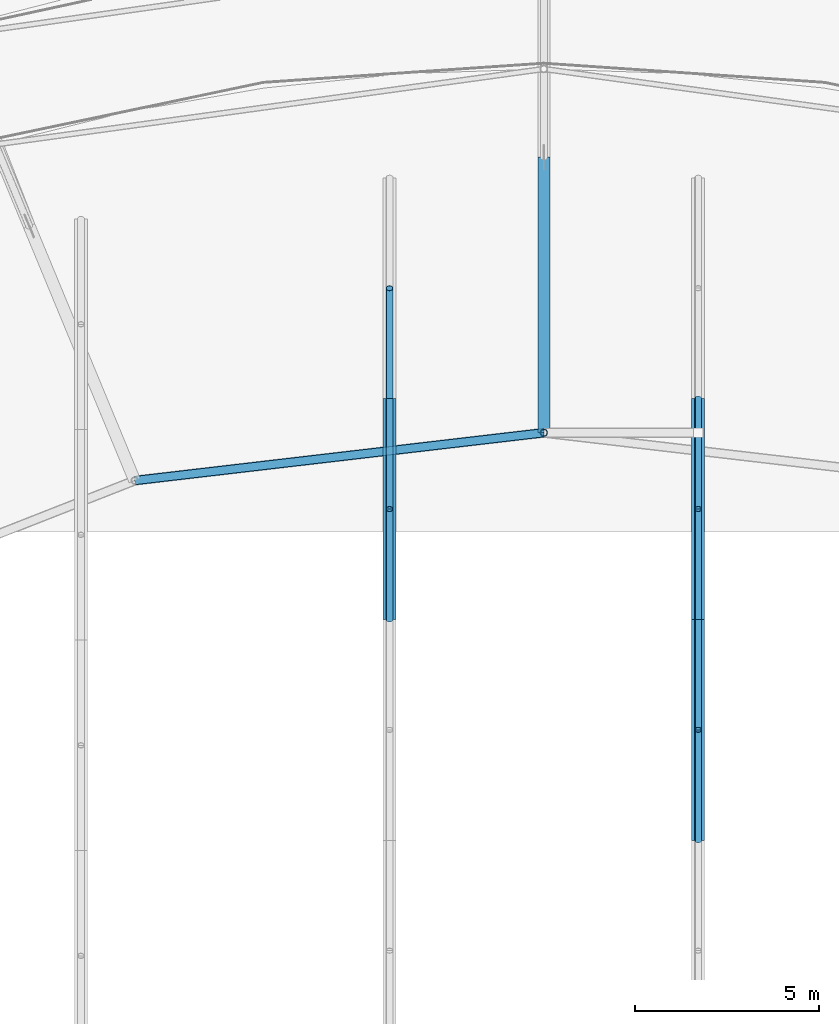
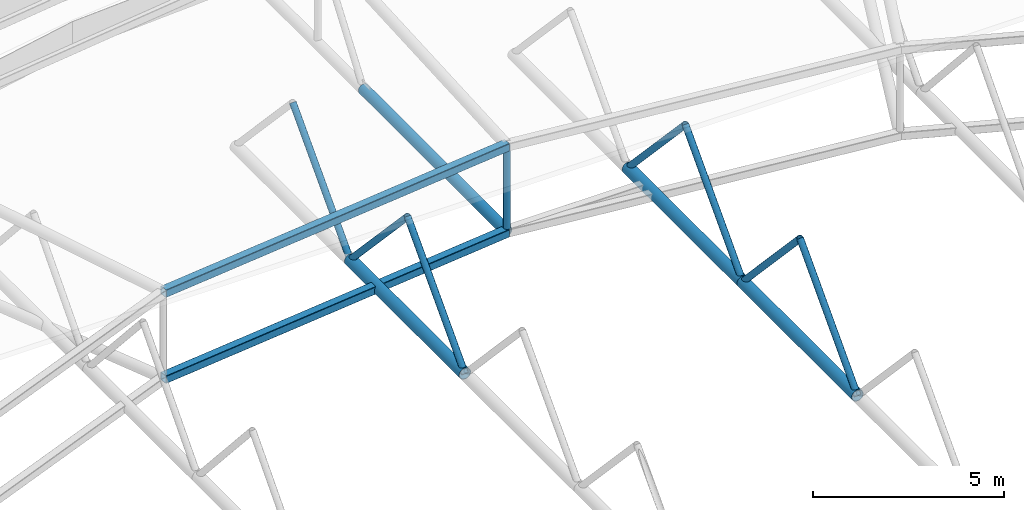
# One storey, part 25 of 134: 14 members.
"""IFC4 building model written with IfcOpenShell, lengths in metres."""

from ifc_helpers import new_model, si_unit, derived_unit, direction, frame, origin, origin_2d, place, context, subcontext, project, spatial, hollow_rectangle, hollow_circle, extrude, material, material_profile, profile_set, type_object, element, save


model = new_model("IFC4")

# Units and contexts
model_context = context("Model", 3, precision=1e-05, world=origin(), true_north=direction((0.0, 1.0)))
body_context = subcontext(model_context, "Body", "Model", "MODEL_VIEW")
ifc_project = project(units=[si_unit("LENGTHUNIT", "METRE"), si_unit("AREAUNIT", "SQUARE_METRE"), si_unit("VOLUMEUNIT", "CUBIC_METRE"), si_unit("PLANEANGLEUNIT", "RADIAN"), si_unit("MASSUNIT", "GRAM", prefix="KILO"), derived_unit("THERMALTRANSMITTANCEUNIT", [(si_unit("MASSUNIT", "GRAM", prefix="KILO"), 1), (si_unit("TIMEUNIT", "SECOND"), -3), (si_unit("THERMODYNAMICTEMPERATUREUNIT", "KELVIN"), -1)])], contexts=[model_context])

# Site, building, storey
site_placement = place(None, origin())
site = spatial("IfcSite", under=ifc_project, at=site_placement, CompositionType="ELEMENT")
building_placement = place(site_placement, origin())
building = spatial("IfcBuilding", under=site, at=building_placement, Name="Kharveza Railside Sports Centre", CompositionType="ELEMENT")
storey_placement = place(building_placement, frame((0.0, 0.0, 12.89990234375)))
storey = spatial("IfcBuildingStorey", under=building, at=storey_placement, Name="L03", CompositionType="ELEMENT", Elevation=12.89990234375)

# Members
ifc_material = material(Name="Steel S355J2", Category="steel")
ifc_material_profile_1 = material_profile(ifc_material, hollow_circle(Radius=0.177734375, WallThickness=0.01611328125, at=origin_2d()), Name="CHS 355.6x16.0")
ifc_profile_set_1 = profile_set([ifc_material_profile_1], Name="Steel S355J2")
member_type_1 = type_object("IfcMemberType", Name="MB-CH01", PredefinedType="CHORD", material=ifc_profile_set_1)
member_1_placement = place(storey_placement, frame((50.39990234375, 62.419189453125, -0.0498046875), z_axis=(0.0, 1.0, 0.0), x_axis=(-1.0, 0.0, 0.0)))
element("IfcMember", 1, at=member_1_placement, inside=storey, type_object=member_type_1, Name="MB-V1TR-BC-3-7", PredefinedType="CHORD", context=body_context, shape_type="SweptSolid", body=[
    extrude(hollow_circle(Radius=0.177734375, WallThickness=0.01611328125, at=origin_2d()), origin(), (0.0, 0.0, 1.0), 6.009765625),
])
member_2_placement = place(storey_placement, frame((58.800048828125, 56.40966796875, -0.0498046875), z_axis=(0.0, 1.0, 0.0), x_axis=(-1.0, 0.0, 0.0)))
element("IfcMember", 2, at=member_2_placement, inside=storey, type_object=member_type_1, Name="MB-V1TR-BC-4-6", PredefinedType="CHORD", context=body_context, shape_type="SweptSolid", body=[
    extrude(hollow_circle(Radius=0.177734375, WallThickness=0.01611328125, at=origin_2d()), origin(), (0.0, 0.0, 1.0), 6.009521484375),
])
member_3_placement = place(storey_placement, frame((58.800048828125, 62.419189453125, -0.0498046875), z_axis=(0.0, 1.0, 0.0), x_axis=(-1.0, 0.0, 0.0)))
element("IfcMember", 3, at=member_3_placement, inside=storey, type_object=member_type_1, Name="MB-V1TR-BC-4-7", PredefinedType="CHORD", context=body_context, shape_type="SweptSolid", body=[
    extrude(hollow_circle(Radius=0.177734375, WallThickness=0.01611328125, at=origin_2d()), origin(), (0.0, 0.0, 1.0), 6.009765625),
])
ifc_material_profile_2 = material_profile(ifc_material, hollow_circle(Radius=0.161865234375, WallThickness=0.01611328125, at=origin_2d()), Name="CHS 323.9x16.0")
ifc_profile_set_2 = profile_set([ifc_material_profile_2], Name="Steel S355J2")
member_type_2 = type_object("IfcMemberType", Name="MB-CH02", PredefinedType="CHORD", material=ifc_profile_set_2)
member_4_placement = place(storey_placement, frame((54.60009765625, 67.5, -0.0498046875), z_axis=(0.0, 1.0, 0.0), x_axis=(-1.0, 0.0, 0.0)))
element("IfcMember", 4, at=member_4_placement, inside=storey, type_object=member_type_2, Name="MB-OUT-BC1-05", PredefinedType="CHORD", context=body_context, shape_type="SweptSolid", body=[
    extrude(hollow_circle(Radius=0.161865234375, WallThickness=0.01611328125, at=origin_2d()), origin(), (0.0, 0.0, 1.0), 7.5),
])
ifc_material_profile_3 = material_profile(ifc_material, hollow_rectangle(XDim=0.25, YDim=0.25, WallThickness=0.012451171875, InnerFilletRadius=0.012451171875, OuterFilletRadius=0.02490234375, at=origin_2d()), Name="SHS 250x250x12.5")
ifc_profile_set_3 = profile_set([ifc_material_profile_3], Name="Steel S355J2")
member_type_3 = type_object("IfcMemberType", Name="MB-CH05", PredefinedType="CHORD", material=ifc_profile_set_3)
for number, where, z_axis, x_axis, name in (
    (5, (54.60009765625, 67.5, -0.0498046875), (-0.993237132314, -0.116103397849, 0.0), (0.116103397849, -0.993237132314, 0.0), "MB-INRING-BOT-05"),
    (6, (54.60009765625, 67.5, 2.7001953125), (-0.993237132314, -0.116103397849, 0.0), (0.116103397849, -0.993237132314, 0.0), "MB-INRING-TOP-05"),
):
    element("IfcMember", number, at=place(storey_placement, frame(where, z_axis=z_axis, x_axis=x_axis)), inside=storey, type_object=member_type_3, Name=name, PredefinedType="CHORD", context=body_context, shape_type="SweptSolid", body=[
        extrude(hollow_rectangle(XDim=0.25, YDim=0.25, WallThickness=0.012451171875, InnerFilletRadius=0.012451171875, OuterFilletRadius=0.02490234375, at=origin_2d()), origin(), (0.0, 0.0, 1.0), 11.212158203125),
    ])
ifc_material_profile_4 = material_profile(ifc_material, hollow_circle(Radius=0.096923828125, WallThickness=0.010009765625, at=origin_2d()), Name="CHS 193.7x10.0")
ifc_profile_set_4 = profile_set([ifc_material_profile_4], Name="Steel S355J2")
member_type_4 = type_object("IfcMemberType", Name="MB-ST02", PredefinedType="STRUT", material=ifc_profile_set_4)
member_5_placement = place(storey_placement, frame((54.60009765625, 67.5, -0.0498046875), z_axis=(0.0, 0.0, 1.0), x_axis=(1.0, 0.0, 0.0)))
element("IfcMember", 7, at=member_5_placement, inside=storey, type_object=member_type_4, Name="MB-OUT-WEB-05-1", PredefinedType="STRUT", context=body_context, shape_type="SweptSolid", body=[
    extrude(hollow_circle(Radius=0.096923828125, WallThickness=0.010009765625, at=origin_2d()), origin(), (0.0, 0.0, 1.0), 2.75),
])
for number, where, z_axis, x_axis, name in (
    (8, (50.39990234375, 62.419189453125, -0.0498046875), (0.0, 0.684538468084, 0.728976738802), (-1.0, 0.0, 0.0), "MB-V1TR-D1-3-7"),
    (9, (50.39990234375, 65.424072265625, 3.150146484375), (0.0, 0.684538468084, -0.728976738802), (-1.0, 0.0, 0.0), "MB-V1TR-D2-3-7"),
):
    element("IfcMember", number, at=place(storey_placement, frame(where, z_axis=z_axis, x_axis=x_axis)), inside=storey, type_object=member_type_4, Name=name, PredefinedType="STRUT", context=body_context, shape_type="SweptSolid", body=[
        extrude(hollow_circle(Radius=0.096923828125, WallThickness=0.010009765625, at=origin_2d()), origin(), (0.0, 0.0, 1.0), 4.3896484375),
    ])
member_6_placement = place(storey_placement, frame((50.39990234375, 68.428955078125, -0.0498046875), z_axis=(0.0, 0.684508910936, 0.729004493024), x_axis=(-1.0, 0.0, 0.0)))
element("IfcMember", 10, at=member_6_placement, inside=storey, type_object=member_type_4, Name="MB-V1TR-D1-3-8", PredefinedType="STRUT", context=body_context, shape_type="SweptSolid", body=[
    extrude(hollow_circle(Radius=0.096923828125, WallThickness=0.010009765625, at=origin_2d()), origin(), (0.0, 0.0, 1.0), 4.389404296875),
])
member_7_placement = place(storey_placement, frame((58.800048828125, 56.40966796875, -0.0498046875), z_axis=(0.0, 0.684538468084, 0.728976738802), x_axis=(-1.0, 0.0, 0.0)))
element("IfcMember", 11, at=member_7_placement, inside=storey, type_object=member_type_4, Name="MB-V1TR-D1-4-6", PredefinedType="STRUT", context=body_context, shape_type="SweptSolid", body=[
    extrude(hollow_circle(Radius=0.096923828125, WallThickness=0.010009765625, at=origin_2d()), origin(), (0.0, 0.0, 1.0), 4.3896484375),
])
member_8_placement = place(storey_placement, frame((58.800048828125, 59.41455078125, 3.150146484375), z_axis=(0.0, 0.684508910936, -0.729004493024), x_axis=(-1.0, 0.0, 0.0)))
element("IfcMember", 12, at=member_8_placement, inside=storey, type_object=member_type_4, Name="MB-V1TR-D2-4-6", PredefinedType="STRUT", context=body_context, shape_type="SweptSolid", body=[
    extrude(hollow_circle(Radius=0.096923828125, WallThickness=0.010009765625, at=origin_2d()), origin(), (0.0, 0.0, 1.0), 4.389404296875),
])
for number, where, z_axis, x_axis, name in (
    (13, (58.800048828125, 62.419189453125, -0.0498046875), (0.0, 0.684538468084, 0.728976738802), (-1.0, 0.0, 0.0), "MB-V1TR-D1-4-7"),
    (14, (58.800048828125, 65.424072265625, 3.150146484375), (0.0, 0.684538468084, -0.728976738802), (-1.0, 0.0, 0.0), "MB-V1TR-D2-4-7"),
):
    element("IfcMember", number, at=place(storey_placement, frame(where, z_axis=z_axis, x_axis=x_axis)), inside=storey, type_object=member_type_4, Name=name, PredefinedType="STRUT", context=body_context, shape_type="SweptSolid", body=[
        extrude(hollow_circle(Radius=0.096923828125, WallThickness=0.010009765625, at=origin_2d()), origin(), (0.0, 0.0, 1.0), 4.3896484375),
    ])

save(model, "model.ifc")
